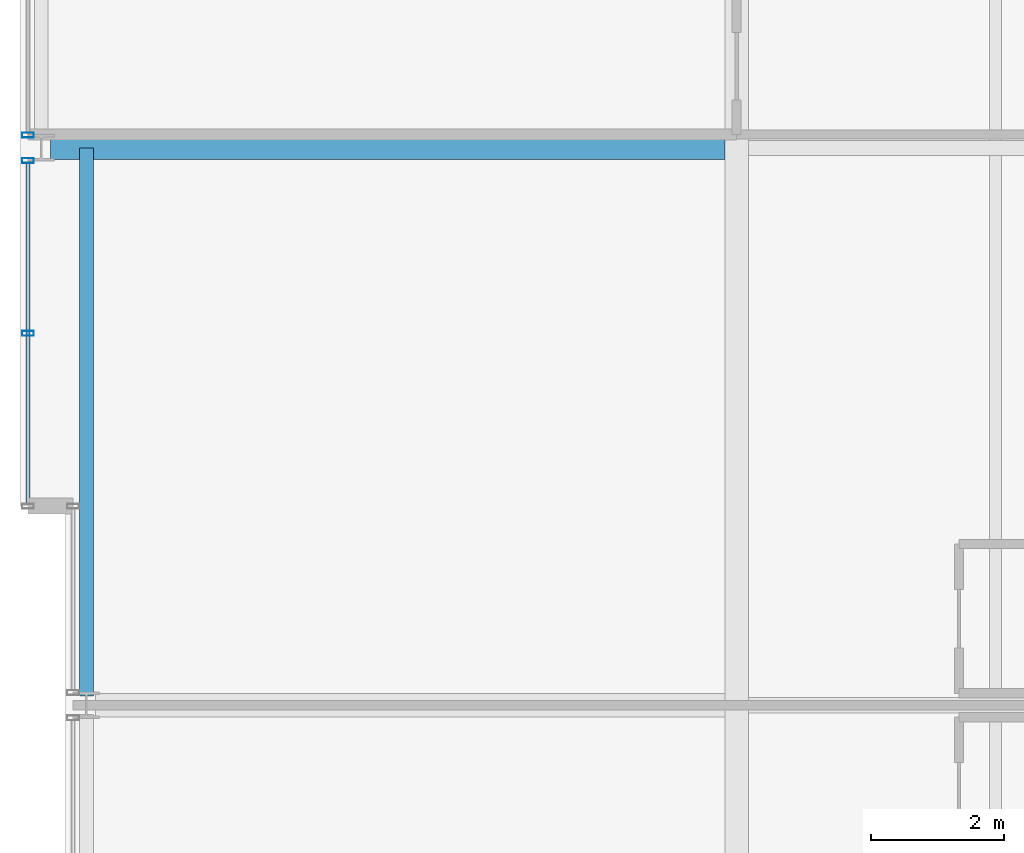
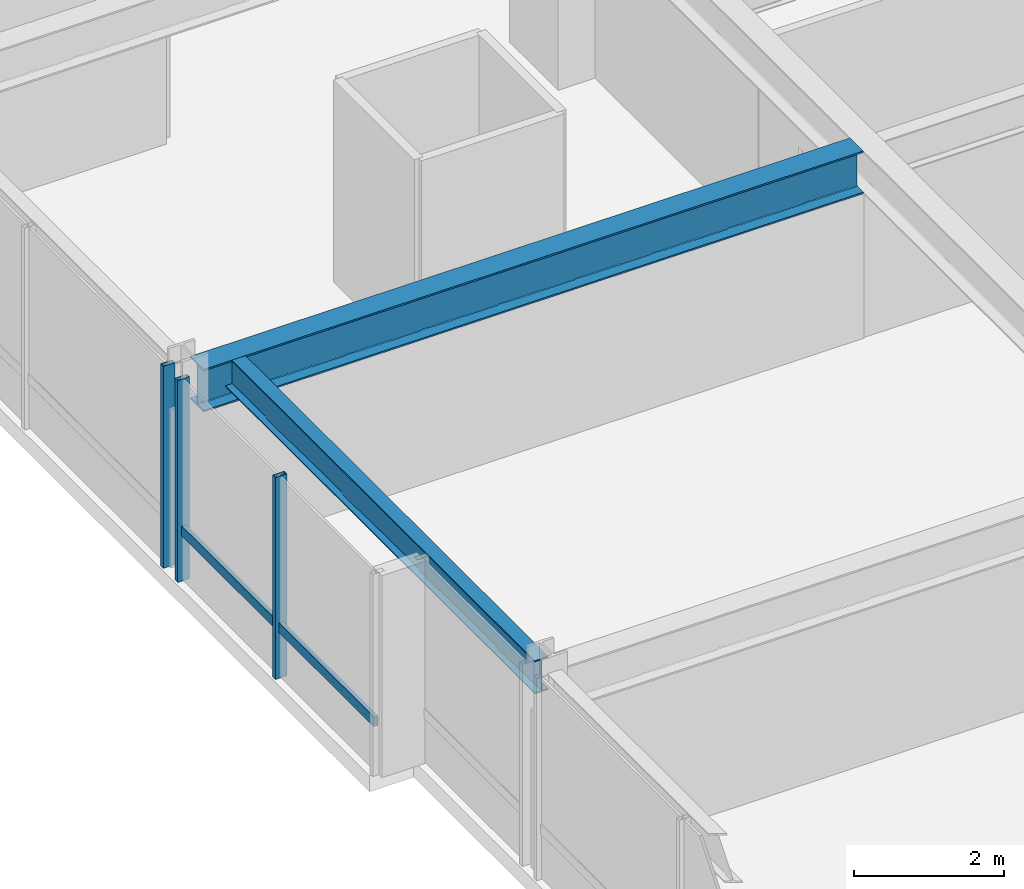
# One storey, part 16 of 32: 4 members, 2 beams, 2 elements without a shape of their own.
"""IFC4 building model written with IfcOpenShell, lengths in metres."""

from ifc_helpers import new_model, si_unit, direction, frame, origin, origin_2d, place, context, subcontext, project, spatial, hollow_rectangle, i_section, extrude, material, layer, layer_set, material_profile, profile_set, type_object, element, aggregate, save


model = new_model("IFC4")

# Units and contexts
model_context = context("Model", 3, precision=1e-05, world=origin(), true_north=direction((0.0, 1.0)))
body_context = subcontext(model_context, "Body", "Model", "MODEL_VIEW")
ifc_project = project(units=[si_unit("LENGTHUNIT", "METRE"), si_unit("AREAUNIT", "SQUARE_METRE"), si_unit("VOLUMEUNIT", "CUBIC_METRE"), si_unit("PLANEANGLEUNIT", "RADIAN"), si_unit("MASSUNIT", "GRAM", prefix="KILO")], contexts=[model_context])

# Site, building, storey
site_placement = place(None, origin())
site = spatial("IfcSite", under=ifc_project, at=site_placement, CompositionType="ELEMENT")
building_placement = place(site_placement, origin())
building = spatial("IfcBuilding", under=site, at=building_placement, Name="Drelvath Grand Hotel", CompositionType="ELEMENT")
storey_placement = place(building_placement, frame((0.0, 0.0, 193.0)))
storey = spatial("IfcBuildingStorey", under=building, at=storey_placement, Name="L50", CompositionType="ELEMENT", Elevation=193.0)

# Curtain wall, members
ifc_material_1 = material(Name="Brushed Pale-Silver Anodised Aluminium Frame", Category="aluminium")
ifc_layer = layer(ifc_material_1, 0.199951171875)
ifc_layer_set = layer_set([ifc_layer], Name="Brushed Pale-Silver Anodised Aluminium Frame")
curtain_wall_type = type_object("IfcCurtainWallType", Name="Stick Curtain Wall CW-04 Brushed Silver Upper-Mid", PredefinedType="NOTDEFINED", material=ifc_layer_set)
curtain_wall_1_placement = place(storey_placement, origin())
curtain_wall_1 = element("IfcCurtainWall", 1, at=curtain_wall_1_placement, inside=storey, type_object=curtain_wall_type, Name="L50 CW-04 Curtain Wall CW04-L50-WN1", PredefinedType="NOTDEFINED")
ifc_material_profile_1 = material_profile(ifc_material_1, hollow_rectangle(XDim=0.06494140625, YDim=0.159912109375, WallThickness=0.00390625, at=origin_2d()), Name="HSS160X65X4")
ifc_profile_set_1 = profile_set([ifc_material_profile_1], Name="Brushed Pale-Silver Anodised Aluminium Frame")
member_type_1 = type_object("IfcMemberType", Name="Curtain Wall Horizontal Transom CW-04 HSS160X65X4", PredefinedType="USERDEFINED", material=ifc_profile_set_1)
member_1_placement = place(storey_placement, frame((-26.8798828125, 30.0400390625, 0.822509765625), z_axis=(0.0, 1.0, 0.0), x_axis=(-1.0, 0.0, 0.0)))
member_1 = element("IfcMember", 2, at=member_1_placement, type_object=member_type_1, Name="CW04-L50-WN1 Sill Transom", ObjectType="TRANSOM", PredefinedType="USERDEFINED", context=body_context, shape_type="SweptSolid", body=[
    extrude(hollow_rectangle(XDim=0.06494140625, YDim=0.159912109375, WallThickness=0.00390625, at=origin_2d()), origin(), (0.0, 0.0, 1.0), 5.12841796875),
])
ifc_material_profile_2 = material_profile(ifc_material_1, hollow_rectangle(XDim=0.074951171875, YDim=0.179931640625, WallThickness=0.0048828125, at=origin_2d()), Name="HSS180X75X5")
ifc_profile_set_2 = profile_set([ifc_material_profile_2], Name="Brushed Pale-Silver Anodised Aluminium Frame")
member_type_2 = type_object("IfcMemberType", Name="Curtain Wall Vertical Mullion CW-04 HSS180X75X5", PredefinedType="MULLION", material=ifc_profile_set_2)
member_2_placement = place(storey_placement, frame((-26.8798828125, 32.604248046875, 0.0), z_axis=(0.0, 0.0, 1.0), x_axis=(0.0, 1.0, 0.0)))
member_2 = element("IfcMember", 3, at=member_2_placement, type_object=member_type_2, Name="CW04-L50-WN1 Mullion 2", PredefinedType="MULLION", context=body_context, shape_type="SweptSolid", body=[
    extrude(hollow_rectangle(XDim=0.074951171875, YDim=0.179931640625, WallThickness=0.0048828125, at=origin_2d()), origin(), (0.0, 0.0, 1.0), 3.2900390625),
])
member_3_placement = place(storey_placement, frame((-26.8798828125, 35.20849609375, 0.0), z_axis=(0.0, 0.0, 1.0), x_axis=(0.0, 1.0, 0.0)))
member_3 = element("IfcMember", 4, at=member_3_placement, type_object=member_type_2, Name="CW04-L50-WN1 Mullion 3", PredefinedType="MULLION", context=body_context, shape_type="SweptSolid", body=[
    extrude(hollow_rectangle(XDim=0.074951171875, YDim=0.179931640625, WallThickness=0.0048828125, at=origin_2d()), origin(), (0.0, 0.0, 1.0), 3.2900390625),
])
aggregate(curtain_wall_1, [member_2, member_3, member_1])

# Curtain wall, member
curtain_wall_2_placement = place(storey_placement, origin())
curtain_wall_2 = element("IfcCurtainWall", 5, at=curtain_wall_2_placement, inside=storey, type_object=curtain_wall_type, Name="L50 CW-04 Curtain Wall CW04-L50-WN2", PredefinedType="NOTDEFINED")
member_4_placement = place(storey_placement, frame((-26.8798828125, 35.591552734375, 0.0), z_axis=(0.0, 0.0, 1.0), x_axis=(0.0, 1.0, 0.0)))
member_4 = element("IfcMember", 6, at=member_4_placement, type_object=member_type_2, Name="CW04-L50-WN2 Mullion 1", PredefinedType="MULLION", context=body_context, shape_type="SweptSolid", body=[
    extrude(hollow_rectangle(XDim=0.074951171875, YDim=0.179931640625, WallThickness=0.0048828125, at=origin_2d()), origin(), (0.0, 0.0, 1.0), 3.2900390625),
])
aggregate(curtain_wall_2, [member_4])

# Beams
ifc_material_2 = material(Name="Steel ASTM A992 Gr 50", Category="steel")
ifc_material_profile_3 = material_profile(ifc_material_2, i_section(OverallWidth=0.210205078125, OverallDepth=0.53662109375, WebThickness=0.010986328125, FlangeThickness=0.017333984375, FilletRadius=0.01806640625, at=origin_2d()), Name="W21X68")
ifc_profile_set_3 = profile_set([ifc_material_profile_3], Name="Steel ASTM A992 Gr 50")
beam_type_1 = type_object("IfcBeamType", Name="Perimeter Spandrel Beam W21X68", PredefinedType="SPANDREL", material=ifc_profile_set_3)
beam_1_placement = place(storey_placement, frame((-26.0, 27.139892578125, 3.021484375), z_axis=(0.0, 1.0, 0.0), x_axis=(-1.0, 0.0, 0.0)))
element("IfcBeam", 7, at=beam_1_placement, inside=storey, type_object=beam_type_1, Name="L50 Spandrel West Mid N", PredefinedType="SPANDREL", context=body_context, shape_type="SweptSolid", body=[
    extrude(i_section(OverallWidth=0.210205078125, OverallDepth=0.53662109375, WebThickness=0.010986328125, FlangeThickness=0.017333984375, FilletRadius=0.01806640625, at=origin_2d()), origin(), (0.0, 0.0, 1.0), 8.260009765625),
])
ifc_material_profile_4 = material_profile(ifc_material_2, i_section(OverallWidth=0.354736328125, OverallDepth=0.695556640625, WebThickness=0.015380859375, FlangeThickness=0.025146484375, FilletRadius=0.02392578125, at=origin_2d()), Name="W27X146")
ifc_profile_set_4 = profile_set([ifc_material_profile_4], Name="Steel ASTM A992 Gr 50")
beam_type_2 = type_object("IfcBeamType", Name="Primary Floor Girder W27X146", PredefinedType="BEAM", material=ifc_profile_set_4)
beam_2_placement = place(storey_placement, frame((-26.5400390625, 35.39990234375, 2.9423828125), z_axis=(1.0, 0.0, 0.0), x_axis=(0.0, 1.0, 0.0)))
element("IfcBeam", 8, at=beam_2_placement, inside=storey, type_object=beam_type_2, Name="L50 West Wing Girder F", PredefinedType="BEAM", context=body_context, shape_type="SweptSolid", body=[
    extrude(i_section(OverallWidth=0.354736328125, OverallDepth=0.695556640625, WebThickness=0.015380859375, FlangeThickness=0.025146484375, FilletRadius=0.02392578125, at=origin_2d()), origin(), (0.0, 0.0, 1.0), 10.16259765625),
])

save(model, "model.ifc")
